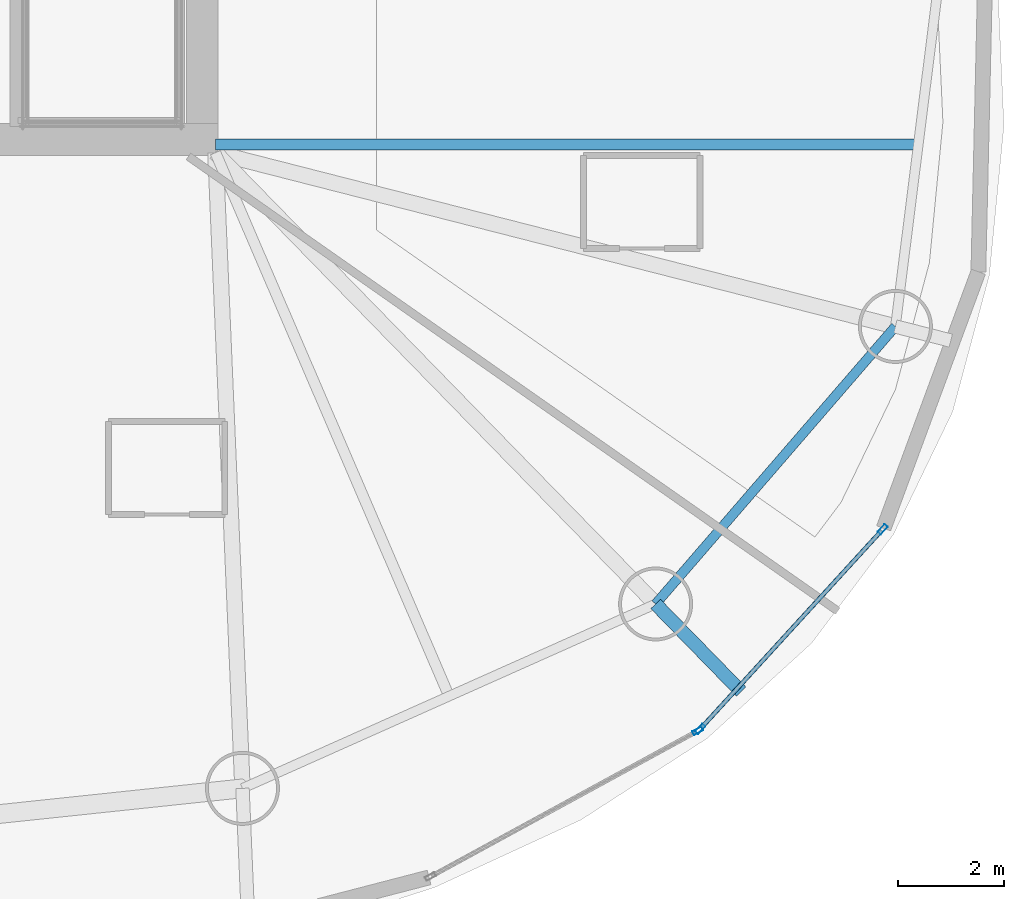
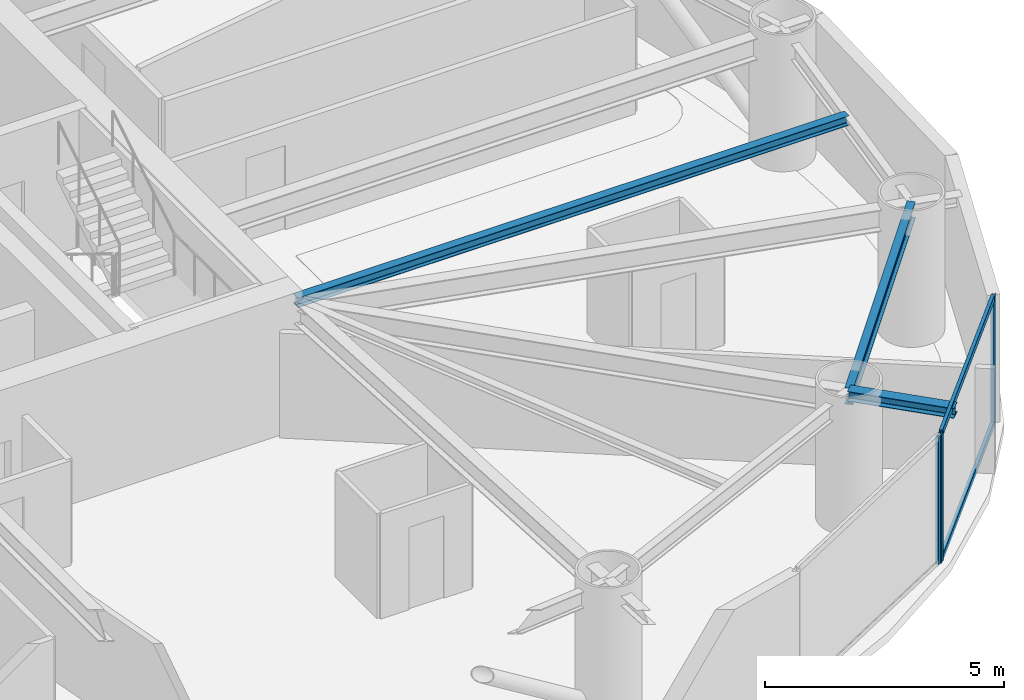
# One storey, part 9 of 20: 5 members, 3 beams, 2 elements without a shape of their own.
"""IFC4 building model written with IfcOpenShell, lengths in metres."""

import ifcopenshell
import ifcopenshell.guid

model = None  # the IFC model being written
_history = None  # IfcOwnerHistory: only IFC2X3 demands one
_inside = {}  # id of a spatial element -> (the spatial element, [elements in it])
_under = {}  # id of a project, library or spatial element -> (it, [spatial elements below it])
_declared = {}  # id of a project -> (the project, [libraries it declares])
_typed = {}  # id of a type object -> (the type object, [elements of that type])
_made_of = {}  # id of a material, layer set ... -> (it, [elements and type objects made of it])


def new_model(schema):
    """Start an empty IFC model of exactly this schema.

    Asked for "IFC4X3", IfcOpenShell would pick the latest addendum, in which some entities
    have other attributes; the version numbers below select the first issue.
    IFC2X3 requires an IfcOwnerHistory on every rooted entity: one is made here for all.
    """
    global model, _history
    if schema == "IFC4X3":
        model = ifcopenshell.file(schema_version=(4, 3, 0, 0))
    else:
        model = ifcopenshell.file(schema=schema)
    _inside.clear()
    _under.clear()
    _declared.clear()
    _typed.clear()
    _made_of.clear()
    _history = None
    if model.schema == "IFC2X3":
        org = make("IfcOrganization", Name="unknown")
        user = make(
            "IfcPersonAndOrganization",
            ThePerson=make("IfcPerson", FamilyName="unknown"),
            TheOrganization=org,
        )
        app = make(
            "IfcApplication",
            ApplicationDeveloper=org,
            Version="unknown",
            ApplicationFullName="unknown",
            ApplicationIdentifier="unknown",
        )
        _history = make(
            "IfcOwnerHistory",
            OwningUser=user,
            OwningApplication=app,
            ChangeAction="ADDED",
            CreationDate=0,
        )
    return model


def make(cls, **values):
    """One entity of the class cls with the attributes given. An attribute that is None is left unset."""
    return model.create_entity(
        cls, **{name: value for name, value in values.items() if value is not None}
    )


def rooted(cls, **values):
    """An entity with a GlobalId (a new one), such as an element, a storey or a relation."""
    return make(cls, GlobalId=ifcopenshell.guid.new(), OwnerHistory=_history, **values)


def si_unit(unit_type, name, prefix=None):
    """IfcSIUnit, for example si_unit("LENGTHUNIT", "METRE", prefix="MILLI")."""
    return make("IfcSIUnit", UnitType=unit_type, Prefix=prefix, Name=name)


def assignment(units):
    """IfcUnitAssignment: the units of a project."""
    return None if units is None else make("IfcUnitAssignment", Units=units)


def point(xyz):
    """IfcCartesianPoint."""
    return None if xyz is None else make("IfcCartesianPoint", Coordinates=xyz)


def direction(xyz):
    """IfcDirection."""
    return None if xyz is None else make("IfcDirection", DirectionRatios=xyz)


def frame(location, z_axis=None, x_axis=None):
    """IfcAxis2Placement3D, a coordinate frame: its origin and axes. An axis left out is left unset."""
    return make(
        "IfcAxis2Placement3D",
        Location=point(location),
        Axis=direction(z_axis),
        RefDirection=direction(x_axis),
    )


def frame_2d(location, x_axis=None):
    """IfcAxis2Placement2D, a coordinate frame in the plane: its origin and x axis."""
    return make(
        "IfcAxis2Placement2D", Location=point(location), RefDirection=direction(x_axis)
    )


def origin():
    """The frame at (0, 0, 0) with its axes left unset."""
    return frame((0.0, 0.0, 0.0))


def origin_2d():
    """The frame at (0, 0) in the plane with its x axis left unset."""
    return frame_2d((0.0, 0.0))


def place(relative_to, where):
    """IfcLocalPlacement: puts the frame where relative to a parent placement (None: the world)."""
    return make(
        "IfcLocalPlacement", PlacementRelTo=relative_to, RelativePlacement=where
    )


def context(
    kind, dimensions, precision=None, world=None, true_north=None, identifier=None
):
    """IfcGeometricRepresentationContext, for example the 3D "Model" context."""
    return make(
        "IfcGeometricRepresentationContext",
        ContextIdentifier=identifier,
        ContextType=kind,
        CoordinateSpaceDimension=dimensions,
        Precision=precision,
        WorldCoordinateSystem=world,
        TrueNorth=true_north,
    )


def subcontext(parent, identifier, kind, view, scale=None):
    """IfcGeometricRepresentationSubContext, for example "Body" below "Model"."""
    return make(
        "IfcGeometricRepresentationSubContext",
        ContextIdentifier=identifier,
        ContextType=kind,
        ParentContext=parent,
        TargetScale=scale,
        TargetView=view,
    )


def project(units=None, contexts=None):
    """IfcProject with its units and contexts."""
    return rooted(
        "IfcProject",
        Name="project",
        RepresentationContexts=contexts,
        UnitsInContext=assignment(units),
    )


def spatial(cls, under=None, at=None, **own):
    """A site, building, storey or space (cls), placed at a placement, below another one or the project."""
    s = rooted(cls, ObjectPlacement=at, **own)
    if under is not None:
        _under.setdefault(under.id(), (under, []))[1].append(s)
    return s


def profile(cls, at=None, kind="AREA", **sizes):
    """A parametric profile (cls). Its sizes go by their IFC names, for example OverallWidth=200.0."""
    return make(cls, ProfileType=kind, Position=at, **sizes)


def hollow_rectangle(**sizes):
    """IfcRectangleHollowProfileDef."""
    return profile("IfcRectangleHollowProfileDef", **sizes)


def i_section(**sizes):
    """IfcIShapeProfileDef."""
    return profile("IfcIShapeProfileDef", **sizes)


def extrude(swept, where, along, depth):
    """IfcExtrudedAreaSolid: the profile swept, set in the frame where, extruded along a direction by depth."""
    return make(
        "IfcExtrudedAreaSolid",
        SweptArea=swept,
        Position=where,
        ExtrudedDirection=direction(along),
        Depth=depth,
    )


def shape(context_of_items, identifier, shape_type, items):
    """IfcShapeRepresentation: the items that make up one representation, for example the "Body"."""
    return make(
        "IfcShapeRepresentation",
        ContextOfItems=context_of_items,
        RepresentationIdentifier=identifier,
        RepresentationType=shape_type,
        Items=items,
    )


def material(Name=None, Category=None):
    """IfcMaterial."""
    return make("IfcMaterial", Name=Name, Category=Category)


def layer(
    of_material, thickness, ventilated=None, Name=None, Category=None, Priority=None
):
    """IfcMaterialLayer: one layer of a wall or slab, of a material (None: an air gap)."""
    return make(
        "IfcMaterialLayer",
        Material=of_material,
        LayerThickness=thickness,
        IsVentilated=ventilated,
        Name=Name,
        Category=Category,
        Priority=Priority,
    )


def layer_set(layers, Name=None):
    """IfcMaterialLayerSet."""
    return make("IfcMaterialLayerSet", MaterialLayers=layers, LayerSetName=Name)


def material_profile(
    of_material, cross_section, Name=None, Category=None, Priority=None
):
    """IfcMaterialProfile: a cross section and its material."""
    return make(
        "IfcMaterialProfile",
        Name=Name,
        Material=of_material,
        Profile=cross_section,
        Priority=Priority,
        Category=Category,
    )


def profile_set(profiles, Name=None, composite=None):
    """IfcMaterialProfileSet."""
    return make(
        "IfcMaterialProfileSet",
        Name=Name,
        MaterialProfiles=profiles,
        CompositeProfile=composite,
    )


def made_of(thing, what):
    """Note that an element or type object is made of a material, layer set ...; save() writes the relation."""
    if what is not None:
        _made_of.setdefault(what.id(), (what, []))[1].append(thing)
    return thing


def type_object(cls, material=None, **own):
    """A type object (cls), such as IfcWallType, which elements share."""
    return made_of(rooted(cls, **own), material)


def element(
    cls,
    number,
    at=None,
    inside=None,
    cuts=None,
    type_object=None,
    material=None,
    context=None,
    identifier="Body",
    shape_type=None,
    held_by="IfcProductDefinitionShape",
    body=None,
    shapes=None,
    **own,
):
    """One element of the class cls, such as IfcWall. Its Tag is "e" and its number.

    at: its placement. inside: the storey or other place that contains it. cuts: it is an
    opening in that element (IfcRelVoidsElement). A single representation is given by context,
    identifier, shape_type and body (its items); several are given by shapes. held_by: the class
    of the entity that holds the representations. save() writes the other relations.
    """
    e = rooted(cls, Tag="e%d" % number, ObjectPlacement=at, **own)
    if body is not None:
        shapes = [shape(context, identifier, shape_type, body)]
    if shapes is not None:
        e.Representation = make(held_by, Representations=shapes)
    if inside is not None:
        _inside.setdefault(inside.id(), (inside, []))[1].append(e)
    if cuts is not None:
        rooted(
            "IfcRelVoidsElement", RelatingBuildingElement=cuts, RelatedOpeningElement=e
        )
    if type_object is not None:
        _typed.setdefault(type_object.id(), (type_object, []))[1].append(e)
    return made_of(e, material)


def aggregate(whole, parts):
    """IfcRelAggregates: a whole, such as a stair, and the parts it consists of."""
    return rooted("IfcRelAggregates", RelatingObject=whole, RelatedObjects=parts)


def save(model, path):
    """Write the relations noted so far, then the file.

    IfcRelAggregates (storeys below a building ...), IfcRelContainedInSpatialStructure (elements
    in a storey), IfcRelDefinesByType, IfcRelAssociatesMaterial and IfcRelDeclares: one each for
    every whole, place, type object, material and project.
    """
    for whole, parts in _under.values():
        aggregate(whole, parts)
    for where, things in _inside.values():
        rooted(
            "IfcRelContainedInSpatialStructure",
            RelatedElements=things,
            RelatingStructure=where,
        )
    for kind, things in _typed.values():
        rooted("IfcRelDefinesByType", RelatedObjects=things, RelatingType=kind)
    for what, things in _made_of.values():
        rooted("IfcRelAssociatesMaterial", RelatedObjects=things, RelatingMaterial=what)
    for by, libraries in _declared.values():
        rooted("IfcRelDeclares", RelatingContext=by, RelatedDefinitions=libraries)
    model.write(path)


model = new_model("IFC4")

# Units and contexts
model_context = context("Model", 3, precision=1e-05, world=origin(), true_north=direction((0.0, 1.0)))
body_context = subcontext(model_context, "Body", "Model", "MODEL_VIEW")
ifc_project = project(units=[si_unit("LENGTHUNIT", "METRE"), si_unit("AREAUNIT", "SQUARE_METRE"), si_unit("VOLUMEUNIT", "CUBIC_METRE"), si_unit("PLANEANGLEUNIT", "RADIAN"), si_unit("MASSUNIT", "GRAM", prefix="KILO")], contexts=[model_context])

# Site, building, storey
site_placement = place(None, origin())
site = spatial("IfcSite", under=ifc_project, at=site_placement, CompositionType="ELEMENT")
building_placement = place(site_placement, origin())
building = spatial("IfcBuilding", under=site, at=building_placement, Name="Bramvorn Convention Spire", CompositionType="ELEMENT")
storey_placement = place(building_placement, frame((0.0, 0.0, 155.300048828125)))
storey = spatial("IfcBuildingStorey", under=building, at=storey_placement, Name="L39", CompositionType="ELEMENT", Elevation=155.300048828125)

# Beams
ifc_material_1 = material(Name="Steel CSA G40.21 Grade 350 (350W)", Category="steel")
ifc_material_profile_1 = material_profile(ifc_material_1, i_section(OverallWidth=0.201904296875, OverallDepth=0.2470703125, WebThickness=0.00732421875, FlangeThickness=0.010986328125, FilletRadius=0.011962890625, at=origin_2d()))
ifc_profile_set_1 = profile_set([ifc_material_profile_1], Name="Steel CSA G40.21 Grade 350 (350W) - W250X49")
beam_type_1 = type_object("IfcBeamType", Name="BM-W250X49", PredefinedType="JOIST", material=ifc_profile_set_1)
beam_1_placement = place(storey_placement, frame((49.25, 18.705078125, 3.136474609375), z_axis=(1.0, 0.0, 0.0), x_axis=(0.0, 1.0, 0.0)))
element("IfcBeam", 1, at=beam_1_placement, inside=storey, type_object=beam_type_1, Name="L39 composite floor joist 01", PredefinedType="JOIST", context=body_context, shape_type="SweptSolid", body=[
    extrude(i_section(OverallWidth=0.201904296875, OverallDepth=0.2470703125, WebThickness=0.00732421875, FlangeThickness=0.010986328125, FilletRadius=0.011962890625, at=origin_2d()), origin(), (0.0, 0.0, 1.0), 13.30078125),
])
ifc_material_profile_2 = material_profile(ifc_material_1, i_section(OverallWidth=0.25390625, OverallDepth=0.2529296875, WebThickness=0.008544921875, FlangeThickness=0.01416015625, FilletRadius=0.011962890625, at=origin_2d()))
ifc_profile_set_2 = profile_set([ifc_material_profile_2], Name="Steel CSA G40.21 Grade 350 (350W) - W250X73")
beam_type_2 = type_object("IfcBeamType", Name="BM-W250X73", PredefinedType="BEAM", material=ifc_profile_set_2)
beam_2_placement = place(storey_placement, frame((57.579833984375, 10.0107421875, 3.133544921875), z_axis=(0.698251410532, -0.715852615899, 0.0), x_axis=(0.715852615899, 0.698251410532, 0.0)))
element("IfcBeam", 2, at=beam_2_placement, inside=storey, type_object=beam_type_2, Name="L39 slab-edge cantilever tip beam MC16", PredefinedType="BEAM", context=body_context, shape_type="SweptSolid", body=[
    extrude(i_section(OverallWidth=0.25390625, OverallDepth=0.2529296875, WebThickness=0.008544921875, FlangeThickness=0.01416015625, FilletRadius=0.011962890625, at=origin_2d()), origin(), (0.0, 0.0, 1.0), 2.31640625),
])
ifc_material_profile_3 = material_profile(ifc_material_1, i_section(OverallWidth=0.180908203125, OverallDepth=0.4169921875, WebThickness=0.010986328125, FlangeThickness=0.018310546875, FilletRadius=0.01611328125, at=origin_2d()))
ifc_profile_set_3 = profile_set([ifc_material_profile_3], Name="Steel CSA G40.21 Grade 350 (350W) - W410X85")
beam_type_3 = type_object("IfcBeamType", Name="BM-W410X85", PredefinedType="JOIST", material=ifc_profile_set_3)
beam_3_placement = place(storey_placement, frame((57.579833984375, 10.0107421875, 3.051513671875), z_axis=(0.653824993824, 0.756645807132, 0.0), x_axis=(-0.756645807132, 0.653824993824, 0.0)))
element("IfcBeam", 3, at=beam_3_placement, inside=storey, type_object=beam_type_3, Name="L39 mega-column ring beam 16", PredefinedType="JOIST", context=body_context, shape_type="SweptSolid", body=[
    extrude(i_section(OverallWidth=0.180908203125, OverallDepth=0.4169921875, WebThickness=0.010986328125, FlangeThickness=0.018310546875, FilletRadius=0.01611328125, at=origin_2d()), origin(), (0.0, 0.0, 1.0), 6.9404296875),
])

# Curtain wall, member
ifc_material_2 = material(Name="Anodised Bronze Unitised Curtain Wall", Category="aluminium")
ifc_layer = layer(ifc_material_2, 0.179931640625)
ifc_layer_set = layer_set([ifc_layer], Name="Anodised Bronze Unitised Curtain Wall - CW-HTL-FRIT")
curtain_wall_type = type_object("IfcCurtainWallType", Name="CW-HTL-FRIT", PredefinedType="USERDEFINED", material=ifc_layer_set)
curtain_wall_1_placement = place(storey_placement, origin())
curtain_wall_1 = element("IfcCurtainWall", 4, at=curtain_wall_1_placement, inside=storey, type_object=curtain_wall_type, Name="L39 fritted glass curtain wall 23", ObjectType="UNITISED CURTAIN WALL", PredefinedType="USERDEFINED")
ifc_material_3 = material(Name="Anodised Bronze Aluminium 6063-T6", Category="aluminium")
ifc_material_profile_4 = material_profile(ifc_material_3, hollow_rectangle(XDim=0.080078125, YDim=0.199951171875, WallThickness=0.00390625, InnerFilletRadius=0.0009765625, OuterFilletRadius=0.00390625, at=origin_2d()))
ifc_profile_set_4 = profile_set([ifc_material_profile_4], Name="Anodised Bronze Aluminium 6063-T6 - CWM80X200")
member_type_1 = type_object("IfcMemberType", Name="CW-MUL-180", PredefinedType="MULLION", material=ifc_profile_set_4)
member_1_placement = place(storey_placement, frame((58.377685546875, 7.609375, 0.0), z_axis=(0.0, 0.0, 1.0), x_axis=(0.478811218838, -0.877917887228, 0.0)))
member_1 = element("IfcMember", 5, at=member_1_placement, type_object=member_type_1, Name="CW2 mullion 1", PredefinedType="MULLION", context=body_context, shape_type="SweptSolid", body=[
    extrude(hollow_rectangle(XDim=0.080078125, YDim=0.199951171875, WallThickness=0.00390625, InnerFilletRadius=0.0009765625, OuterFilletRadius=0.00390625, at=origin_2d()), origin(), (0.0, 0.0, 1.0), 3.260009765625),
])
aggregate(curtain_wall_1, [member_1])

# Curtain wall, members
curtain_wall_2_placement = place(storey_placement, origin())
curtain_wall_2 = element("IfcCurtainWall", 6, at=curtain_wall_2_placement, inside=storey, type_object=curtain_wall_type, Name="L39 fritted glass curtain wall 24", ObjectType="UNITISED CURTAIN WALL", PredefinedType="USERDEFINED")
member_2_placement = place(storey_placement, frame((61.874755859375, 11.4208984375, 0.0), z_axis=(0.0, 0.0, 1.0), x_axis=(0.738118449322, -0.674671145648, 0.0)))
member_2 = element("IfcMember", 7, at=member_2_placement, type_object=member_type_1, Name="CW2 mullion 1", PredefinedType="MULLION", context=body_context, shape_type="SweptSolid", body=[
    extrude(hollow_rectangle(XDim=0.080078125, YDim=0.199951171875, WallThickness=0.00390625, InnerFilletRadius=0.0009765625, OuterFilletRadius=0.00390625, at=origin_2d()), origin(), (0.0, 0.0, 1.0), 3.260009765625),
])
member_3_placement = place(storey_placement, frame((58.42431640625, 7.645751953125, 0.0), z_axis=(0.0, 0.0, 1.0), x_axis=(0.738118449322, -0.674671145648, 0.0)))
member_3 = element("IfcMember", 8, at=member_3_placement, type_object=member_type_1, Name="CW2 mullion 2", PredefinedType="MULLION", context=body_context, shape_type="SweptSolid", body=[
    extrude(hollow_rectangle(XDim=0.080078125, YDim=0.199951171875, WallThickness=0.00390625, InnerFilletRadius=0.0009765625, OuterFilletRadius=0.00390625, at=origin_2d()), origin(), (0.0, 0.0, 1.0), 3.260009765625),
])
ifc_material_profile_5 = material_profile(ifc_material_3, hollow_rectangle(XDim=0.080078125, YDim=0.159912109375, WallThickness=0.00390625, InnerFilletRadius=0.0009765625, OuterFilletRadius=0.00390625, at=origin_2d()))
ifc_profile_set_5 = profile_set([ifc_material_profile_5], Name="Anodised Bronze Aluminium 6063-T6 - CWT80X160")
member_type_2 = type_object("IfcMemberType", Name="CW-TRN-150", PredefinedType="USERDEFINED", material=ifc_profile_set_5)
member_4_placement = place(storey_placement, frame((61.854736328125, 11.398681640625, 0.030029296875), z_axis=(-0.674685004586, -0.738105781434, 0.0), x_axis=(0.738105781434, -0.674685004586, 0.0)))
member_4 = element("IfcMember", 9, at=member_4_placement, type_object=member_type_2, Name="CW2 transom 1.1", ObjectType="TRANSOM", PredefinedType="USERDEFINED", context=body_context, shape_type="SweptSolid", body=[
    extrude(hollow_rectangle(XDim=0.080078125, YDim=0.159912109375, WallThickness=0.00390625, InnerFilletRadius=0.0009765625, OuterFilletRadius=0.00390625, at=origin_2d()), origin(), (0.0, 0.0, 1.0), 5.054443359375),
])
member_5_placement = place(storey_placement, frame((61.854736328125, 11.398681640625, 3.22998046875), z_axis=(-0.674685004586, -0.738105781434, 0.0), x_axis=(0.738105781434, -0.674685004586, 0.0)))
member_5 = element("IfcMember", 10, at=member_5_placement, type_object=member_type_2, Name="CW2 transom 1.2", ObjectType="TRANSOM", PredefinedType="USERDEFINED", context=body_context, shape_type="SweptSolid", body=[
    extrude(hollow_rectangle(XDim=0.080078125, YDim=0.159912109375, WallThickness=0.00390625, InnerFilletRadius=0.0009765625, OuterFilletRadius=0.00390625, at=origin_2d()), origin(), (0.0, 0.0, 1.0), 5.054443359375),
])
aggregate(curtain_wall_2, [member_2, member_3, member_4, member_5])

save(model, "model.ifc")
